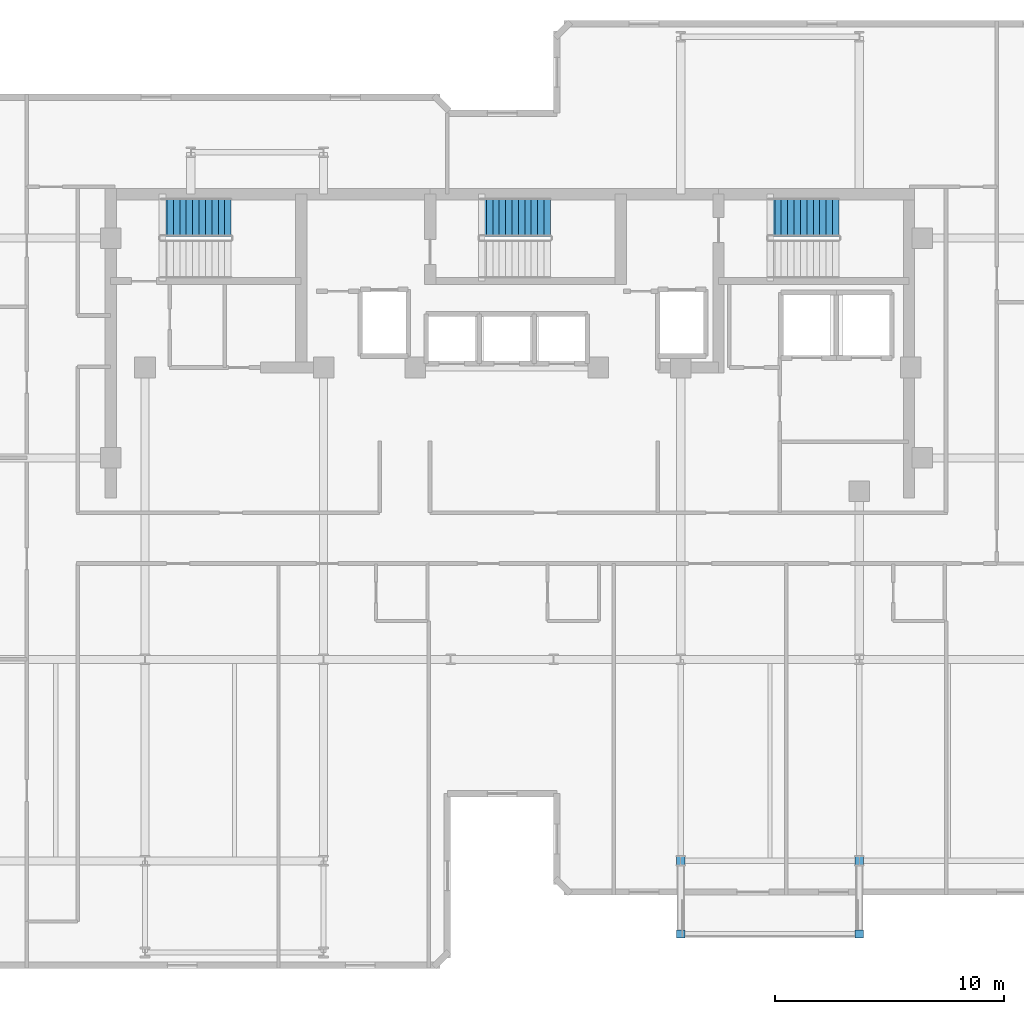
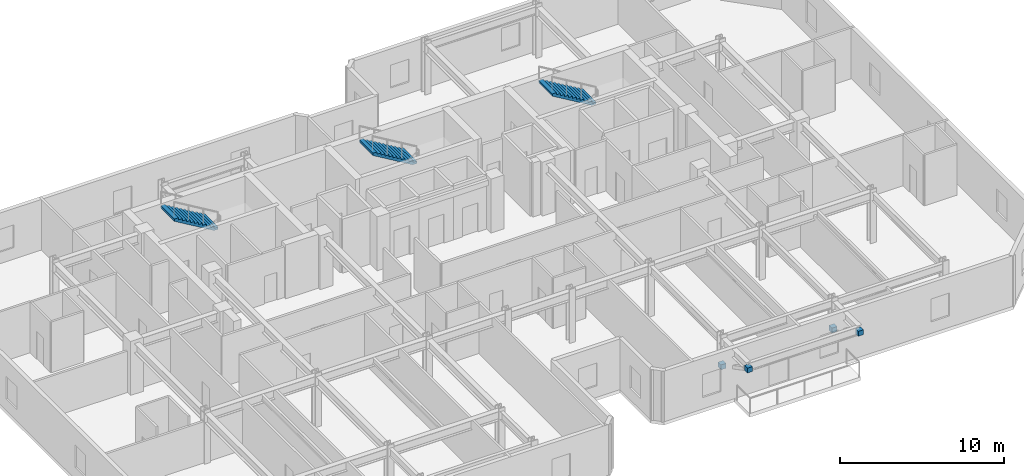
# One storey, part 8 of 11: 4 discrete accessories, 3 stair flights, 3 elements without a shape of their own.
"""IFC4 building model written with IfcOpenShell, lengths in metres."""

from ifc_helpers import new_model, si_unit, direction, frame, origin, origin_2d, place, context, subcontext, project, spatial, polyline, rectangle, outline, extrude, material, type_object, element, aggregate, save


model = new_model("IFC4")

# Units and contexts
model_context = context("Model", 3, precision=1e-05, world=origin(), true_north=direction((0.0, 1.0)))
body_context = subcontext(model_context, "Body", "Model", "MODEL_VIEW")
ifc_project = project(units=[si_unit("LENGTHUNIT", "METRE"), si_unit("AREAUNIT", "SQUARE_METRE"), si_unit("VOLUMEUNIT", "CUBIC_METRE"), si_unit("PLANEANGLEUNIT", "RADIAN"), si_unit("MASSUNIT", "GRAM", prefix="KILO")], contexts=[model_context])

# Site, building, storey
site_placement = place(None, origin())
site = spatial("IfcSite", under=ifc_project, at=site_placement, CompositionType="ELEMENT")
building_placement = place(site_placement, origin())
building = spatial("IfcBuilding", under=site, at=building_placement, Name="Kestravale Grand Hotel", CompositionType="ELEMENT")
storey_placement = place(building_placement, frame((0.0, 0.0, 265.39990234375)))
storey = spatial("IfcBuildingStorey", under=building, at=storey_placement, Name="L66", CompositionType="ELEMENT", Elevation=265.39990234375)

# Stair, stair flight
ifc_material_1 = material(Name="Concrete f'c 45 MPa", Category="concrete")
stair_type = type_object("IfcStairType", Name="ST-CORE-400", PredefinedType="HALF_TURN_STAIR", material=ifc_material_1)
stair_1_placement = place(storey_placement, origin())
stair_1 = element("IfcStair", 1, at=stair_1_placement, inside=storey, type_object=stair_type, Name="L66 ST-1", PredefinedType="HALF_TURN_STAIR")
ifc_material_2 = material(Name="Concrete f'c 45 MPa", Category="concrete")
stair_flight_type = type_object("IfcStairFlightType", Name="STF-CORE-400", PredefinedType="STRAIGHT", material=ifc_material_2)
stair_flight_1_placement = place(storey_placement, frame((27.159912109375, 39.320068359375, 2.0), z_axis=(0.0, 0.0, 1.0), x_axis=(-1.0, 0.0, 0.0)))
stair_flight_1 = element("IfcStairFlight", 2, at=stair_flight_1_placement, type_object=stair_flight_type, Name="ST-1 flight 2", NumberOfRisers=12, NumberOfTreads=11, PredefinedType="STRAIGHT", RiserHeight=0.166666667, TreadLength=0.28, context=body_context, shape_type="SweptSolid", body=[
    extrude(outline(polyline([(0.0, 0.0), (0.0, 0.166748046875), (0.280029296875, 0.166748046875), (0.280029296875, 0.333251953125), (0.56005859375, 0.333251953125), (0.56005859375, 0.5), (0.840087890625, 0.5), (0.840087890625, 0.666748046875), (1.1201171875, 0.666748046875), (1.1201171875, 0.833251953125), (1.39990234375, 0.833251953125), (1.39990234375, 1.0), (1.679931640625, 1.0), (1.679931640625, 1.166748046875), (1.9599609375, 1.166748046875), (1.9599609375, 1.333251953125), (2.239990234375, 1.333251953125), (2.239990234375, 1.5), (2.52001953125, 1.5), (2.52001953125, 1.666748046875), (2.800048828125, 1.666748046875), (2.800048828125, 1.833251953125), (3.080078125, 1.833251953125), (3.080078125, 2.0), (3.080078125, 1.658935546875), (0.29296875, 0.0), (0.0, 0.0)])), frame((0.0, 0.83984375, 0.0), z_axis=(0.0, -1.0, 0.0), x_axis=(1.0, 0.0, 0.0)), (0.0, 0.0, 1.0), 1.679931640625),
])
aggregate(stair_1, [stair_flight_1])

stair_2_placement = place(storey_placement, origin())
stair_2 = element("IfcStair", 3, at=stair_2_placement, inside=storey, type_object=stair_type, Name="L66 ST-2", PredefinedType="HALF_TURN_STAIR")
stair_flight_2_placement = place(storey_placement, frame((41.110107421875, 39.320068359375, 2.0), z_axis=(0.0, 0.0, 1.0), x_axis=(-1.0, 0.0, 0.0)))
stair_flight_2 = element("IfcStairFlight", 4, at=stair_flight_2_placement, type_object=stair_flight_type, Name="ST-2 flight 2", NumberOfRisers=12, NumberOfTreads=11, PredefinedType="STRAIGHT", RiserHeight=0.166666667, TreadLength=0.28, context=body_context, shape_type="SweptSolid", body=[
    extrude(outline(polyline([(0.0, 0.0), (0.0, 0.166748046875), (0.280029296875, 0.166748046875), (0.280029296875, 0.333251953125), (0.56005859375, 0.333251953125), (0.56005859375, 0.5), (0.840087890625, 0.5), (0.840087890625, 0.666748046875), (1.1201171875, 0.666748046875), (1.1201171875, 0.833251953125), (1.39990234375, 0.833251953125), (1.39990234375, 1.0), (1.679931640625, 1.0), (1.679931640625, 1.166748046875), (1.9599609375, 1.166748046875), (1.9599609375, 1.333251953125), (2.239990234375, 1.333251953125), (2.239990234375, 1.5), (2.52001953125, 1.5), (2.52001953125, 1.666748046875), (2.800048828125, 1.666748046875), (2.800048828125, 1.833251953125), (3.080078125, 1.833251953125), (3.080078125, 2.0), (3.080078125, 1.658935546875), (0.29296875, 0.0), (0.0, 0.0)])), frame((0.0, 0.83984375, 0.0), z_axis=(0.0, -1.0, 0.0), x_axis=(1.0, 0.0, 0.0)), (0.0, 0.0, 1.0), 1.679931640625),
])
aggregate(stair_2, [stair_flight_2])

stair_3_placement = place(storey_placement, origin())
stair_3 = element("IfcStair", 5, at=stair_3_placement, inside=storey, type_object=stair_type, Name="L66 ST-3", PredefinedType="HALF_TURN_STAIR")
stair_flight_3_placement = place(storey_placement, frame((53.7099609375, 39.320068359375, 2.0), z_axis=(0.0, 0.0, 1.0), x_axis=(-1.0, 0.0, 0.0)))
stair_flight_3 = element("IfcStairFlight", 6, at=stair_flight_3_placement, type_object=stair_flight_type, Name="ST-3 flight 2", NumberOfRisers=12, NumberOfTreads=11, PredefinedType="STRAIGHT", RiserHeight=0.166666667, TreadLength=0.28, context=body_context, shape_type="SweptSolid", body=[
    extrude(outline(polyline([(0.0, 0.0), (0.0, 0.166748046875), (0.280029296875, 0.166748046875), (0.280029296875, 0.333251953125), (0.56005859375, 0.333251953125), (0.56005859375, 0.5), (0.840087890625, 0.5), (0.840087890625, 0.666748046875), (1.1201171875, 0.666748046875), (1.1201171875, 0.833251953125), (1.39990234375, 0.833251953125), (1.39990234375, 1.0), (1.679931640625, 1.0), (1.679931640625, 1.166748046875), (1.9599609375, 1.166748046875), (1.9599609375, 1.333251953125), (2.239990234375, 1.333251953125), (2.239990234375, 1.5), (2.52001953125, 1.5), (2.52001953125, 1.666748046875), (2.800048828125, 1.666748046875), (2.800048828125, 1.833251953125), (3.080078125, 1.833251953125), (3.080078125, 2.0), (3.080078125, 1.658935546875), (0.29296875, 0.0), (0.0, 0.0)])), frame((0.0, 0.83984375, 0.0), z_axis=(0.0, -1.0, 0.0), x_axis=(1.0, 0.0, 0.0)), (0.0, 0.0, 1.0), 1.679931640625),
])
aggregate(stair_3, [stair_flight_3])

# Discrete accessories
ifc_material_3 = material(Name="Steel ASTM A572 Grade 50 hot-dip galvanised bracket", Category="steel")
discrete_accessory_type = type_object("IfcDiscreteAccessoryType", Name="ACC-BRK-STL", PredefinedType="BRACKET", material=ifc_material_3)
for number, where, z_axis, x_axis, name in (
    (7, (46.800048828125, 11.199951171875, 1.39404296875), (0.0, 0.0, 1.0), (1.0, 0.0, 0.0), "L67 terrace strut column bracket 1"),
    (8, (46.800048828125, 8.0, 3.09423828125), (0.0, 0.0, 1.0), (1.0, 0.0, 0.0), "L67 terrace strut beam bracket 1"),
    (9, (54.60009765625, 11.199951171875, 1.39404296875), (0.0, 0.0, 1.0), (1.0, 0.0, 0.0), "L67 terrace strut column bracket 2"),
    (10, (54.60009765625, 8.0, 3.09423828125), (0.0, 0.0, 1.0), (1.0, 0.0, 0.0), "L67 terrace strut beam bracket 2"),
):
    element("IfcDiscreteAccessory", number, at=place(storey_placement, frame(where, z_axis=z_axis, x_axis=x_axis)), inside=storey, type_object=discrete_accessory_type, Name=name, PredefinedType="BRACKET", context=body_context, shape_type="SweptSolid", body=[
        extrude(rectangle(XDim=0.360107421875, YDim=0.360107421875, at=origin_2d()), origin(), (0.0, 0.0, 1.0), 0.360107421875),
    ])

save(model, "model.ifc")
